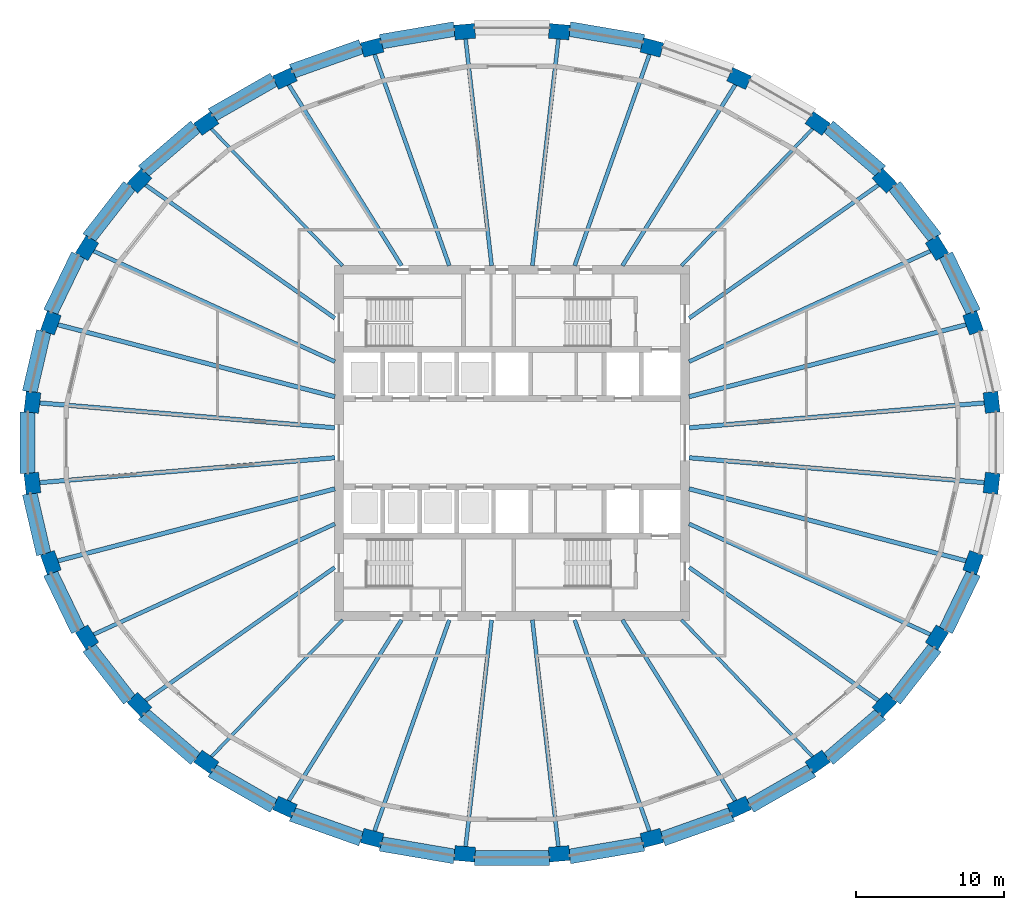
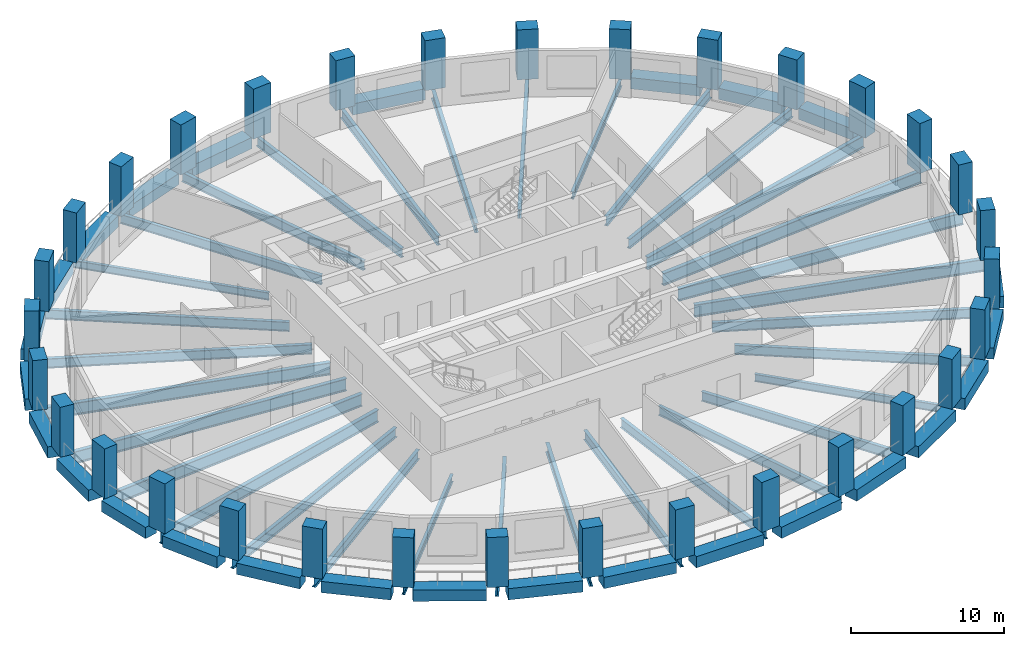
# One storey, part 1 of 10: 58 beams, 32 columns.
"""IFC4 building model written with IfcOpenShell, lengths in metres."""

from ifc_helpers import new_model, si_unit, direction, frame, origin, origin_2d, place, context, subcontext, project, spatial, rectangle, i_section, extrude, material, material_profile, profile_set, type_object, element, save


model = new_model("IFC4")

# Units and contexts
model_context = context("Model", 3, precision=1e-05, world=origin(), true_north=direction((0.0, 1.0)))
body_context = subcontext(model_context, "Body", "Model", "MODEL_VIEW")
ifc_project = project(units=[si_unit("LENGTHUNIT", "METRE"), si_unit("AREAUNIT", "SQUARE_METRE"), si_unit("VOLUMEUNIT", "CUBIC_METRE"), si_unit("PLANEANGLEUNIT", "RADIAN"), si_unit("MASSUNIT", "GRAM", prefix="KILO")], contexts=[model_context])

# Site, building, storey
site_placement = place(None, origin())
site = spatial("IfcSite", under=ifc_project, at=site_placement, CompositionType="ELEMENT")
building_placement = place(site_placement, origin())
building = spatial("IfcBuilding", under=site, at=building_placement, Name="Halqa Exchange Tower", CompositionType="ELEMENT")
storey_placement = place(building_placement, frame((0.0, 0.0, 186.89990234375)))
storey = spatial("IfcBuildingStorey", under=building, at=storey_placement, Name="L42", CompositionType="ELEMENT", Elevation=186.89990234375)

# Columns
ifc_material_1 = material(Name="Concrete C70/85", Category="concrete")
ifc_material_profile_1 = material_profile(ifc_material_1, rectangle(XDim=1.39990234375, YDim=1.0, at=origin_2d()), Name="1400 x 1000")
ifc_profile_set_1 = profile_set([ifc_material_profile_1], Name="Concrete C70/85")
column_type = type_object("IfcColumnType", Name="RC ring column 1400 x 1000 C70/85", PredefinedType="COLUMN", material=ifc_profile_set_1)
for number, where, z_axis, x_axis, name in (
    (1, (32.422119140625, 2.737060546875, 0.0), (0.0, 0.0, 1.0), (-0.114149986297, 0.993463527578, 0.0), "Ring column 1"),
    (2, (31.176025390625, 8.106201171875, 0.0), (0.0, 0.0, 1.0), (-0.333625878908, 0.942705560036, 0.0), "Ring column 2"),
    (3, (28.73193359375, 13.163818359375, 0.0), (0.0, 0.0, 1.0), (-0.529144939165, 0.848531456904, 0.0), "Ring column 3"),
    (4, (25.183837890625, 17.71533203125, 0.0), (0.0, 0.0, 1.0), (-0.691576091297, 0.722303613411, 0.0), "Ring column 4"),
    (5, (20.667724609375, 21.586181640625, 0.0), (0.0, 0.0, 1.0), (-0.817905775493, 0.575352189893, 0.0), "Ring column 5"),
    (6, (15.357666015625, 24.62744140625, 0.0), (0.0, 0.0, 1.0), (-0.909125641902, 0.416521988898, 0.0), "Ring column 6"),
    (7, (9.457275390625, 26.722412109375, 0.0), (0.0, 0.0, 1.0), (-0.96782082117, 0.251640334823, 0.0), "Ring column 7"),
    (8, (3.193359375, 27.790283203125, 0.0), (0.0, 0.0, 1.0), (-0.99645595943, 0.084116115675, 0.0), "Ring column 8"),
    (9, (-3.193359375, 27.790283203125, 0.0), (0.0, 0.0, 1.0), (-0.99645595943, -0.084116115675, 0.0), "Ring column 9"),
    (10, (-9.457275390625, 26.722412109375, 0.0), (0.0, 0.0, 1.0), (-0.96782082117, -0.251640334823, 0.0), "Ring column 10"),
    (11, (-15.357666015625, 24.62744140625, 0.0), (0.0, 0.0, 1.0), (-0.909125641902, -0.416521988898, 0.0), "Ring column 11"),
    (12, (-20.667724609375, 21.586181640625, 0.0), (0.0, 0.0, 1.0), (-0.817905775493, -0.575352189893, 0.0), "Ring column 12"),
    (13, (-25.183837890625, 17.71533203125, 0.0), (0.0, 0.0, 1.0), (-0.691576091297, -0.722303613411, 0.0), "Ring column 13"),
    (14, (-28.73193359375, 13.163818359375, 0.0), (0.0, 0.0, 1.0), (-0.529144939165, -0.848531456904, 0.0), "Ring column 14"),
    (15, (-31.176025390625, 8.106201171875, 0.0), (0.0, 0.0, 1.0), (-0.333625878908, -0.942705560036, 0.0), "Ring column 15"),
    (16, (-32.422119140625, 2.737060546875, 0.0), (0.0, 0.0, 1.0), (-0.114149986297, -0.993463527578, 0.0), "Ring column 16"),
    (17, (-32.422119140625, -2.737060546875, 0.0), (0.0, 0.0, 1.0), (0.114149986297, -0.993463527578, 0.0), "Ring column 17"),
    (18, (-31.176025390625, -8.106201171875, 0.0), (0.0, 0.0, 1.0), (0.333625878908, -0.942705560036, 0.0), "Ring column 18"),
    (19, (-28.73193359375, -13.163818359375, 0.0), (0.0, 0.0, 1.0), (0.529144939165, -0.848531456904, 0.0), "Ring column 19"),
    (20, (-25.183837890625, -17.71533203125, 0.0), (0.0, 0.0, 1.0), (0.691576091297, -0.722303613411, 0.0), "Ring column 20"),
    (21, (-20.667724609375, -21.586181640625, 0.0), (0.0, 0.0, 1.0), (0.817905775493, -0.575352189893, 0.0), "Ring column 21"),
    (22, (-15.357666015625, -24.62744140625, 0.0), (0.0, 0.0, 1.0), (0.909125641902, -0.416521988898, 0.0), "Ring column 22"),
    (23, (-9.457275390625, -26.722412109375, 0.0), (0.0, 0.0, 1.0), (0.96782082117, -0.251640334823, 0.0), "Ring column 23"),
    (24, (-3.193359375, -27.790283203125, 0.0), (0.0, 0.0, 1.0), (0.99645595943, -0.084116115675, 0.0), "Ring column 24"),
    (25, (3.193359375, -27.790283203125, 0.0), (0.0, 0.0, 1.0), (0.99645595943, 0.084116115675, 0.0), "Ring column 25"),
    (26, (9.457275390625, -26.722412109375, 0.0), (0.0, 0.0, 1.0), (0.96782082117, 0.251640334823, 0.0), "Ring column 26"),
    (27, (15.357666015625, -24.62744140625, 0.0), (0.0, 0.0, 1.0), (0.909125641902, 0.416521988898, 0.0), "Ring column 27"),
    (28, (20.667724609375, -21.586181640625, 0.0), (0.0, 0.0, 1.0), (0.817905775493, 0.575352189893, 0.0), "Ring column 28"),
    (29, (25.183837890625, -17.71533203125, 0.0), (0.0, 0.0, 1.0), (0.691576091297, 0.722303613411, 0.0), "Ring column 29"),
    (30, (28.73193359375, -13.163818359375, 0.0), (0.0, 0.0, 1.0), (0.529144939165, 0.848531456904, 0.0), "Ring column 30"),
    (31, (31.176025390625, -8.106201171875, 0.0), (0.0, 0.0, 1.0), (0.333625878908, 0.942705560036, 0.0), "Ring column 31"),
    (32, (32.422119140625, -2.737060546875, 0.0), (0.0, 0.0, 1.0), (0.114149986297, 0.993463527578, 0.0), "Ring column 32"),
):
    element("IfcColumn", number, at=place(storey_placement, frame(where, z_axis=z_axis, x_axis=x_axis)), inside=storey, type_object=column_type, Name=name, PredefinedType="COLUMN", context=body_context, shape_type="SweptSolid", body=[
        extrude(rectangle(XDim=1.39990234375, YDim=1.0, at=origin_2d()), origin(), (0.0, 0.0, 1.0), 4.0),
    ])

# Beams
ifc_material_2 = material(Name="Steel S355", Category="steel")
ifc_material_profile_2 = material_profile(ifc_material_2, i_section(OverallWidth=0.300048828125, OverallDepth=0.989990234375, WebThickness=0.0166015625, FlangeThickness=0.031005859375, FilletRadius=0.030029296875, at=origin_2d()), Name="HEA 1000")
ifc_profile_set_2 = profile_set([ifc_material_profile_2], Name="Steel S355")
beam_type_1 = type_object("IfcBeamType", Name="Floor beam HEA 1000", PredefinedType="BEAM", material=ifc_profile_set_2)
beam_1_placement = place(storey_placement, frame((11.972412109375, 1.0107421875, -0.794921875), z_axis=(0.996455573908, 0.084120682519, 0.0), x_axis=(-0.084120682519, 0.996455573908, 0.0)))
element("IfcBeam", 33, at=beam_1_placement, inside=storey, type_object=beam_type_1, Name="Radial beam 1", PredefinedType="BEAM", context=body_context, shape_type="SweptSolid", body=[
    extrude(i_section(OverallWidth=0.300048828125, OverallDepth=0.989990234375, WebThickness=0.0166015625, FlangeThickness=0.031005859375, FilletRadius=0.030029296875, at=origin_2d()), origin(), (0.0, 0.0, 1.0), 20.63232421875),
])
for number, where, z_axis, x_axis, name in (
    (34, (11.97119140625, 3.11279296875, -0.794921875), (0.967822327931, 0.251634539676, 0.0), (-0.251634539676, 0.967822327931, 0.0), "Radial beam 2"),
    (35, (-11.97119140625, 3.11279296875, -0.794921875), (-0.967822327931, 0.251634539676, 0.0), (-0.251634539676, -0.967822327931, 0.0), "Radial beam 15"),
):
    element("IfcBeam", number, at=place(storey_placement, frame(where, z_axis=z_axis, x_axis=x_axis)), inside=storey, type_object=beam_type_1, Name=name, PredefinedType="BEAM", context=body_context, shape_type="SweptSolid", body=[
        extrude(i_section(OverallWidth=0.300048828125, OverallDepth=0.989990234375, WebThickness=0.0166015625, FlangeThickness=0.031005859375, FilletRadius=0.030029296875, at=origin_2d()), origin(), (0.0, 0.0, 1.0), 19.94580078125),
    ])
for number, where, z_axis, x_axis, name in (
    (36, (-11.972412109375, 1.0107421875, -0.794921875), (-0.996455573908, 0.084120682519, 0.0), (-0.084120682519, -0.996455573908, 0.0), "Radial beam 16"),
    (37, (-11.972412109375, -1.0107421875, -0.794921875), (-0.996455573908, -0.084120682519, 0.0), (0.084120682519, -0.996455573908, 0.0), "Radial beam 17"),
):
    element("IfcBeam", number, at=place(storey_placement, frame(where, z_axis=z_axis, x_axis=x_axis)), inside=storey, type_object=beam_type_1, Name=name, PredefinedType="BEAM", context=body_context, shape_type="SweptSolid", body=[
        extrude(i_section(OverallWidth=0.300048828125, OverallDepth=0.989990234375, WebThickness=0.0166015625, FlangeThickness=0.031005859375, FilletRadius=0.030029296875, at=origin_2d()), origin(), (0.0, 0.0, 1.0), 20.63232421875),
    ])
for number, where, z_axis, x_axis, name in (
    (38, (-11.97119140625, -3.11279296875, -0.794921875), (-0.967822327931, -0.251634539676, 0.0), (0.251634539676, -0.967822327931, 0.0), "Radial beam 18"),
    (39, (11.97119140625, -3.11279296875, -0.794921875), (0.967822327931, -0.251634539676, 0.0), (0.251634539676, 0.967822327931, 0.0), "Radial beam 31"),
):
    element("IfcBeam", number, at=place(storey_placement, frame(where, z_axis=z_axis, x_axis=x_axis)), inside=storey, type_object=beam_type_1, Name=name, PredefinedType="BEAM", context=body_context, shape_type="SweptSolid", body=[
        extrude(i_section(OverallWidth=0.300048828125, OverallDepth=0.989990234375, WebThickness=0.0166015625, FlangeThickness=0.031005859375, FilletRadius=0.030029296875, at=origin_2d()), origin(), (0.0, 0.0, 1.0), 19.94580078125),
    ])
beam_2_placement = place(storey_placement, frame((11.972412109375, -1.0107421875, -0.794921875), z_axis=(0.996455573908, -0.084120682519, 0.0), x_axis=(0.084120682519, 0.996455573908, 0.0)))
element("IfcBeam", 40, at=beam_2_placement, inside=storey, type_object=beam_type_1, Name="Radial beam 32", PredefinedType="BEAM", context=body_context, shape_type="SweptSolid", body=[
    extrude(i_section(OverallWidth=0.300048828125, OverallDepth=0.989990234375, WebThickness=0.0166015625, FlangeThickness=0.031005859375, FilletRadius=0.030029296875, at=origin_2d()), origin(), (0.0, 0.0, 1.0), 20.63232421875),
])
ifc_material_profile_3 = material_profile(ifc_material_2, i_section(OverallWidth=0.219970703125, OverallDepth=0.60009765625, WebThickness=0.011962890625, FlangeThickness=0.01904296875, FilletRadius=0.02392578125, at=origin_2d()), Name="IPE 600")
ifc_profile_set_3 = profile_set([ifc_material_profile_3], Name="Steel S355")
beam_type_2 = type_object("IfcBeamType", Name="Floor beam IPE 600", PredefinedType="BEAM", material=ifc_profile_set_3)
for number, where, z_axis, x_axis, name in (
    (41, (11.463134765625, 11.972412109375, -0.599853515625), (0.691571093897, 0.722308398184, 0.0), (-0.722308398184, 0.691571093897, 0.0), "Radial beam 5"),
    (42, (-11.463134765625, 11.972412109375, -0.599853515625), (-0.691571093897, 0.722308398184, 0.0), (-0.722308398184, -0.691571093897, 0.0), "Radial beam 12"),
    (43, (-11.463134765625, -11.972412109375, -0.599853515625), (-0.691571093897, -0.722308398184, 0.0), (0.722308398184, -0.691571093897, 0.0), "Radial beam 21"),
    (44, (11.463134765625, -11.972412109375, -0.599853515625), (0.691571093897, -0.722308398184, 0.0), (0.722308398184, 0.691571093897, 0.0), "Radial beam 28"),
):
    element("IfcBeam", number, at=place(storey_placement, frame(where, z_axis=z_axis, x_axis=x_axis)), inside=storey, type_object=beam_type_2, Name=name, PredefinedType="BEAM", context=body_context, shape_type="SweptSolid", body=[
        extrude(i_section(OverallWidth=0.219970703125, OverallDepth=0.60009765625, WebThickness=0.011962890625, FlangeThickness=0.01904296875, FilletRadius=0.02392578125, at=origin_2d()), origin(), (0.0, 0.0, 1.0), 13.375732421875),
    ])
ifc_material_profile_4 = material_profile(ifc_material_2, i_section(OverallWidth=0.264892578125, OverallDepth=0.7529296875, WebThickness=0.01318359375, FlangeThickness=0.01708984375, FilletRadius=0.01708984375, at=origin_2d()), Name="IPE 750x147")
ifc_profile_set_4 = profile_set([ifc_material_profile_4], Name="Steel S355")
beam_type_3 = type_object("IfcBeamType", Name="Floor beam IPE 750x147", PredefinedType="BEAM", material=ifc_profile_set_4)
beam_3_placement = place(storey_placement, frame((11.97216796875, 8.421630859375, -0.676513671875), z_axis=(0.81790629386, 0.575351452995, 0.0), x_axis=(-0.575351452995, 0.81790629386, 0.0)))
element("IfcBeam", 45, at=beam_3_placement, inside=storey, type_object=beam_type_3, Name="Radial beam 4", PredefinedType="BEAM", context=body_context, shape_type="SweptSolid", body=[
    extrude(i_section(OverallWidth=0.264892578125, OverallDepth=0.7529296875, WebThickness=0.01318359375, FlangeThickness=0.01708984375, FilletRadius=0.01708984375, at=origin_2d()), origin(), (0.0, 0.0, 1.0), 16.232421875),
])
beam_4_placement = place(storey_placement, frame((7.466064453125, 11.972412109375, -0.676513671875), z_axis=(0.529132105538, 0.84853945983, 0.0), x_axis=(-0.84853945983, 0.529132105538, 0.0)))
element("IfcBeam", 46, at=beam_4_placement, inside=storey, type_object=beam_type_3, Name="Radial beam 6", PredefinedType="BEAM", context=body_context, shape_type="SweptSolid", body=[
    extrude(i_section(OverallWidth=0.264892578125, OverallDepth=0.7529296875, WebThickness=0.01318359375, FlangeThickness=0.01708984375, FilletRadius=0.01708984375, at=origin_2d()), origin(), (0.0, 0.0, 1.0), 14.966796875),
])
beam_5_placement = place(storey_placement, frame((4.23681640625, 11.9716796875, -0.676513671875), z_axis=(0.333629700929, 0.942704207404, 0.0), x_axis=(-0.942704207404, 0.333629700929, 0.0)))
element("IfcBeam", 47, at=beam_5_placement, inside=storey, type_object=beam_type_3, Name="Radial beam 7", PredefinedType="BEAM", context=body_context, shape_type="SweptSolid", body=[
    extrude(i_section(OverallWidth=0.264892578125, OverallDepth=0.7529296875, WebThickness=0.01318359375, FlangeThickness=0.01708984375, FilletRadius=0.01708984375, at=origin_2d()), origin(), (0.0, 0.0, 1.0), 15.69287109375),
])
for number, where, z_axis, x_axis, name in (
    (48, (1.375732421875, 11.972900390625, -0.676513671875), (0.114152671345, 0.99346321906, 0.0), (-0.99346321906, 0.114152671345, 0.0), "Radial beam 8"),
    (49, (-1.375732421875, 11.972900390625, -0.676513671875), (-0.114152671345, 0.99346321906, 0.0), (-0.99346321906, -0.114152671345, 0.0), "Radial beam 9"),
):
    element("IfcBeam", number, at=place(storey_placement, frame(where, z_axis=z_axis, x_axis=x_axis)), inside=storey, type_object=beam_type_3, Name=name, PredefinedType="BEAM", context=body_context, shape_type="SweptSolid", body=[
        extrude(i_section(OverallWidth=0.264892578125, OverallDepth=0.7529296875, WebThickness=0.01318359375, FlangeThickness=0.01708984375, FilletRadius=0.01708984375, at=origin_2d()), origin(), (0.0, 0.0, 1.0), 15.961181640625),
    ])
beam_6_placement = place(storey_placement, frame((-4.23681640625, 11.9716796875, -0.676513671875), z_axis=(-0.333629700929, 0.942704207404, 0.0), x_axis=(-0.942704207404, -0.333629700929, 0.0)))
element("IfcBeam", 50, at=beam_6_placement, inside=storey, type_object=beam_type_3, Name="Radial beam 10", PredefinedType="BEAM", context=body_context, shape_type="SweptSolid", body=[
    extrude(i_section(OverallWidth=0.264892578125, OverallDepth=0.7529296875, WebThickness=0.01318359375, FlangeThickness=0.01708984375, FilletRadius=0.01708984375, at=origin_2d()), origin(), (0.0, 0.0, 1.0), 15.69287109375),
])
beam_7_placement = place(storey_placement, frame((-7.466064453125, 11.972412109375, -0.676513671875), z_axis=(-0.529132105538, 0.84853945983, 0.0), x_axis=(-0.84853945983, -0.529132105538, 0.0)))
element("IfcBeam", 51, at=beam_7_placement, inside=storey, type_object=beam_type_3, Name="Radial beam 11", PredefinedType="BEAM", context=body_context, shape_type="SweptSolid", body=[
    extrude(i_section(OverallWidth=0.264892578125, OverallDepth=0.7529296875, WebThickness=0.01318359375, FlangeThickness=0.01708984375, FilletRadius=0.01708984375, at=origin_2d()), origin(), (0.0, 0.0, 1.0), 14.966796875),
])
for number, where, z_axis, x_axis, name in (
    (52, (-11.97216796875, 8.421630859375, -0.676513671875), (-0.81790629386, 0.575351452995, 0.0), (-0.575351452995, -0.81790629386, 0.0), "Radial beam 13"),
    (53, (-11.97216796875, -8.421630859375, -0.676513671875), (-0.81790629386, -0.575351452995, 0.0), (0.575351452995, -0.81790629386, 0.0), "Radial beam 20"),
):
    element("IfcBeam", number, at=place(storey_placement, frame(where, z_axis=z_axis, x_axis=x_axis)), inside=storey, type_object=beam_type_3, Name=name, PredefinedType="BEAM", context=body_context, shape_type="SweptSolid", body=[
        extrude(i_section(OverallWidth=0.264892578125, OverallDepth=0.7529296875, WebThickness=0.01318359375, FlangeThickness=0.01708984375, FilletRadius=0.01708984375, at=origin_2d()), origin(), (0.0, 0.0, 1.0), 16.232421875),
    ])
beam_8_placement = place(storey_placement, frame((-7.466064453125, -11.972412109375, -0.676513671875), z_axis=(-0.529132105538, -0.84853945983, 0.0), x_axis=(0.84853945983, -0.529132105538, 0.0)))
element("IfcBeam", 54, at=beam_8_placement, inside=storey, type_object=beam_type_3, Name="Radial beam 22", PredefinedType="BEAM", context=body_context, shape_type="SweptSolid", body=[
    extrude(i_section(OverallWidth=0.264892578125, OverallDepth=0.7529296875, WebThickness=0.01318359375, FlangeThickness=0.01708984375, FilletRadius=0.01708984375, at=origin_2d()), origin(), (0.0, 0.0, 1.0), 14.966796875),
])
beam_9_placement = place(storey_placement, frame((-4.23681640625, -11.9716796875, -0.676513671875), z_axis=(-0.333629700929, -0.942704207404, 0.0), x_axis=(0.942704207404, -0.333629700929, 0.0)))
element("IfcBeam", 55, at=beam_9_placement, inside=storey, type_object=beam_type_3, Name="Radial beam 23", PredefinedType="BEAM", context=body_context, shape_type="SweptSolid", body=[
    extrude(i_section(OverallWidth=0.264892578125, OverallDepth=0.7529296875, WebThickness=0.01318359375, FlangeThickness=0.01708984375, FilletRadius=0.01708984375, at=origin_2d()), origin(), (0.0, 0.0, 1.0), 15.69287109375),
])
for number, where, z_axis, x_axis, name in (
    (56, (-1.375732421875, -11.972900390625, -0.676513671875), (-0.114152671345, -0.99346321906, 0.0), (0.99346321906, -0.114152671345, 0.0), "Radial beam 24"),
    (57, (1.375732421875, -11.972900390625, -0.676513671875), (0.114152671345, -0.99346321906, 0.0), (0.99346321906, 0.114152671345, 0.0), "Radial beam 25"),
):
    element("IfcBeam", number, at=place(storey_placement, frame(where, z_axis=z_axis, x_axis=x_axis)), inside=storey, type_object=beam_type_3, Name=name, PredefinedType="BEAM", context=body_context, shape_type="SweptSolid", body=[
        extrude(i_section(OverallWidth=0.264892578125, OverallDepth=0.7529296875, WebThickness=0.01318359375, FlangeThickness=0.01708984375, FilletRadius=0.01708984375, at=origin_2d()), origin(), (0.0, 0.0, 1.0), 15.961181640625),
    ])
beam_10_placement = place(storey_placement, frame((4.23681640625, -11.9716796875, -0.676513671875), z_axis=(0.333629700929, -0.942704207404, 0.0), x_axis=(0.942704207404, 0.333629700929, 0.0)))
element("IfcBeam", 58, at=beam_10_placement, inside=storey, type_object=beam_type_3, Name="Radial beam 26", PredefinedType="BEAM", context=body_context, shape_type="SweptSolid", body=[
    extrude(i_section(OverallWidth=0.264892578125, OverallDepth=0.7529296875, WebThickness=0.01318359375, FlangeThickness=0.01708984375, FilletRadius=0.01708984375, at=origin_2d()), origin(), (0.0, 0.0, 1.0), 15.69287109375),
])
beam_11_placement = place(storey_placement, frame((7.466064453125, -11.972412109375, -0.676513671875), z_axis=(0.529132105538, -0.84853945983, 0.0), x_axis=(0.84853945983, 0.529132105538, 0.0)))
element("IfcBeam", 59, at=beam_11_placement, inside=storey, type_object=beam_type_3, Name="Radial beam 27", PredefinedType="BEAM", context=body_context, shape_type="SweptSolid", body=[
    extrude(i_section(OverallWidth=0.264892578125, OverallDepth=0.7529296875, WebThickness=0.01318359375, FlangeThickness=0.01708984375, FilletRadius=0.01708984375, at=origin_2d()), origin(), (0.0, 0.0, 1.0), 14.966796875),
])
beam_12_placement = place(storey_placement, frame((11.97216796875, -8.421630859375, -0.676513671875), z_axis=(0.81790629386, -0.575351452995, 0.0), x_axis=(0.575351452995, 0.81790629386, 0.0)))
element("IfcBeam", 60, at=beam_12_placement, inside=storey, type_object=beam_type_3, Name="Radial beam 29", PredefinedType="BEAM", context=body_context, shape_type="SweptSolid", body=[
    extrude(i_section(OverallWidth=0.264892578125, OverallDepth=0.7529296875, WebThickness=0.01318359375, FlangeThickness=0.01708984375, FilletRadius=0.01708984375, at=origin_2d()), origin(), (0.0, 0.0, 1.0), 16.232421875),
])
ifc_material_profile_5 = material_profile(ifc_material_2, i_section(OverallWidth=0.26806640625, OverallDepth=0.77001953125, WebThickness=0.015625, FlangeThickness=0.025390625, FilletRadius=0.01708984375, at=origin_2d()), Name="IPE 750x196")
ifc_profile_set_5 = profile_set([ifc_material_profile_5], Name="Steel S355")
beam_type_4 = type_object("IfcBeamType", Name="Floor beam IPE 750x196", PredefinedType="BEAM", material=ifc_profile_set_5)
for number, where, z_axis, x_axis, name in (
    (61, (11.97119140625, 5.484619140625, -0.684814453125), (0.909128238354, 0.416516321681, 0.0), (-0.416516321681, 0.909128238354, 0.0), "Radial beam 3"),
    (62, (-11.97119140625, 5.484619140625, -0.684814453125), (-0.909128238354, 0.416516321681, 0.0), (-0.416516321681, -0.909128238354, 0.0), "Radial beam 14"),
    (63, (-11.97119140625, -5.484619140625, -0.684814453125), (-0.909128238354, -0.416516321681, 0.0), (0.416516321681, -0.909128238354, 0.0), "Radial beam 19"),
    (64, (11.97119140625, -5.484619140625, -0.684814453125), (0.909128238354, -0.416516321681, 0.0), (0.416516321681, 0.909128238354, 0.0), "Radial beam 30"),
):
    element("IfcBeam", number, at=place(storey_placement, frame(where, z_axis=z_axis, x_axis=x_axis)), inside=storey, type_object=beam_type_4, Name=name, PredefinedType="BEAM", context=body_context, shape_type="SweptSolid", body=[
        extrude(i_section(OverallWidth=0.26806640625, OverallDepth=0.77001953125, WebThickness=0.015625, FlangeThickness=0.025390625, FilletRadius=0.01708984375, at=origin_2d()), origin(), (0.0, 0.0, 1.0), 18.528076171875),
    ])
ifc_material_3 = material(Name="Concrete C60/75", Category="concrete")
ifc_material_profile_6 = material_profile(ifc_material_3, rectangle(XDim=1.0, YDim=0.89990234375, at=origin_2d()), Name="1000 x 900")
ifc_profile_set_6 = profile_set([ifc_material_profile_6], Name="Concrete C60/75")
beam_type_5 = type_object("IfcBeamType", Name="RC spandrel beam 1000 x 900 C60/75", PredefinedType="SPANDREL", material=ifc_profile_set_6)
beam_13_placement = place(storey_placement, frame((31.209228515625, 8.800048828125, -0.449951171875), z_axis=(-0.435115273313, 0.900374754716, 0.0), x_axis=(-0.900374754716, -0.435115273313, 0.0)))
element("IfcBeam", 65, at=beam_13_placement, inside=storey, type_object=beam_type_5, Name="Spandrel 2", PredefinedType="SPANDREL", context=body_context, shape_type="SweptSolid", body=[
    extrude(rectangle(XDim=1.0, YDim=0.89990234375, at=origin_2d()), origin(), (0.0, 0.0, 1.0), 4.324951171875),
])
beam_14_placement = place(storey_placement, frame((28.618408203125, 13.8349609375, -0.449951171875), z_axis=(-0.61479263839, 0.788688792732, 0.0), x_axis=(-0.788688792732, -0.61479263839, 0.0)))
element("IfcBeam", 66, at=beam_14_placement, inside=storey, type_object=beam_type_5, Name="Spandrel 3", PredefinedType="SPANDREL", context=body_context, shape_type="SweptSolid", body=[
    extrude(rectangle(XDim=1.0, YDim=0.89990234375, at=origin_2d()), origin(), (0.0, 0.0, 1.0), 4.4814453125),
])
beam_15_placement = place(storey_placement, frame((24.935546875, 18.3408203125, -0.449951171875), z_axis=(-0.759238115243, 0.650812941145, 0.0), x_axis=(-0.650812941145, -0.759238115243, 0.0)))
element("IfcBeam", 67, at=beam_15_placement, inside=storey, type_object=beam_type_5, Name="Spandrel 4", PredefinedType="SPANDREL", context=body_context, shape_type="SweptSolid", body=[
    extrude(rectangle(XDim=1.0, YDim=0.89990234375, at=origin_2d()), origin(), (0.0, 0.0, 1.0), 4.6611328125),
])
for number, where, z_axis, x_axis, name in (
    (68, (8.892333984375, 27.1162109375, -0.449951171875), (-0.985771657048, 0.168089976386, 0.0), (-0.168089976386, -0.985771657048, 0.0), "Spandrel 7"),
    (69, (-3.892578125, 27.96875, -0.449951171875), (-0.985771657048, -0.168089976386, 0.0), (0.168089976386, -0.985771657048, 0.0), "Spandrel 9"),
):
    element("IfcBeam", number, at=place(storey_placement, frame(where, z_axis=z_axis, x_axis=x_axis)), inside=storey, type_object=beam_type_5, Name=name, PredefinedType="SPANDREL", context=body_context, shape_type="SweptSolid", body=[
        extrude(rectangle(XDim=1.0, YDim=0.89990234375, at=origin_2d()), origin(), (0.0, 0.0, 1.0), 5.072021484375),
    ])
beam_16_placement = place(storey_placement, frame((-10.19189453125, 26.77734375, -0.449951171875), z_axis=(-0.942363905459, -0.3345897035, 0.0), x_axis=(0.3345897035, -0.942363905459, 0.0)))
element("IfcBeam", 70, at=beam_16_placement, inside=storey, type_object=beam_type_5, Name="Spandrel 10", PredefinedType="SPANDREL", context=body_context, shape_type="SweptSolid", body=[
    extrude(rectangle(XDim=1.0, YDim=0.89990234375, at=origin_2d()), origin(), (0.0, 0.0, 1.0), 4.977783203125),
])
beam_17_placement = place(storey_placement, frame((-16.103759765625, 24.55126953125, -0.449951171875), z_axis=(-0.867742419962, -0.497014177462, 0.0), x_axis=(0.497014177462, -0.867742419962, 0.0)))
element("IfcBeam", 71, at=beam_17_placement, inside=storey, type_object=beam_type_5, Name="Spandrel 11", PredefinedType="SPANDREL", context=body_context, shape_type="SweptSolid", body=[
    extrude(rectangle(XDim=1.0, YDim=0.89990234375, at=origin_2d()), origin(), (0.0, 0.0, 1.0), 4.8349609375),
])
beam_18_placement = place(storey_placement, frame((-21.396728515625, 21.374267578125, -0.449951171875), z_axis=(-0.759238115243, -0.650812941145, 0.0), x_axis=(0.650812941145, -0.759238115243, 0.0)))
element("IfcBeam", 72, at=beam_18_placement, inside=storey, type_object=beam_type_5, Name="Spandrel 12", PredefinedType="SPANDREL", context=body_context, shape_type="SweptSolid", body=[
    extrude(rectangle(XDim=1.0, YDim=0.89990234375, at=origin_2d()), origin(), (0.0, 0.0, 1.0), 4.6611328125),
])
beam_19_placement = place(storey_placement, frame((-25.86328125, 17.369384765625, -0.449951171875), z_axis=(-0.61479263839, -0.788688792732, 0.0), x_axis=(0.788688792732, -0.61479263839, 0.0)))
element("IfcBeam", 73, at=beam_19_placement, inside=storey, type_object=beam_type_5, Name="Spandrel 13", PredefinedType="SPANDREL", context=body_context, shape_type="SweptSolid", body=[
    extrude(rectangle(XDim=1.0, YDim=0.89990234375, at=origin_2d()), origin(), (0.0, 0.0, 1.0), 4.4814453125),
])
beam_20_placement = place(storey_placement, frame((-29.327392578125, 12.694091796875, -0.449951171875), z_axis=(-0.435115273313, -0.900374754716, 0.0), x_axis=(0.900374754716, -0.435115273313, 0.0)))
element("IfcBeam", 74, at=beam_20_placement, inside=storey, type_object=beam_type_5, Name="Spandrel 14", PredefinedType="SPANDREL", context=body_context, shape_type="SweptSolid", body=[
    extrude(rectangle(XDim=1.0, YDim=0.89990234375, at=origin_2d()), origin(), (0.0, 0.0, 1.0), 4.324951171875),
])
beam_21_placement = place(storey_placement, frame((-31.656494140625, 7.53173828125, -0.449951171875), z_axis=(-0.226085562034, -0.974107447174, 0.0), x_axis=(0.974107447174, -0.226085562034, 0.0)))
element("IfcBeam", 75, at=beam_21_placement, inside=storey, type_object=beam_type_5, Name="Spandrel 15", PredefinedType="SPANDREL", context=body_context, shape_type="SweptSolid", body=[
    extrude(rectangle(XDim=1.0, YDim=0.89990234375, at=origin_2d()), origin(), (0.0, 0.0, 1.0), 4.216796875),
])
beam_22_placement = place(storey_placement, frame((-32.7626953125, 2.08984375, -0.449951171875), z_axis=(0.0, -1.0, 0.0), x_axis=(1.0, 0.0, 0.0)))
element("IfcBeam", 76, at=beam_22_placement, inside=storey, type_object=beam_type_5, Name="Spandrel 16", PredefinedType="SPANDREL", context=body_context, shape_type="SweptSolid", body=[
    extrude(rectangle(XDim=1.0, YDim=0.89990234375, at=origin_2d()), origin(), (0.0, 0.0, 1.0), 4.1796875),
])
beam_23_placement = place(storey_placement, frame((-32.60986328125, -3.424072265625, -0.449951171875), z_axis=(0.226085562034, -0.974107447174, 0.0), x_axis=(0.974107447174, 0.226085562034, 0.0)))
element("IfcBeam", 77, at=beam_23_placement, inside=storey, type_object=beam_type_5, Name="Spandrel 17", PredefinedType="SPANDREL", context=body_context, shape_type="SweptSolid", body=[
    extrude(rectangle(XDim=1.0, YDim=0.89990234375, at=origin_2d()), origin(), (0.0, 0.0, 1.0), 4.216796875),
])
beam_24_placement = place(storey_placement, frame((-31.209228515625, -8.800048828125, -0.449951171875), z_axis=(0.435115273313, -0.900374754716, 0.0), x_axis=(0.900374754716, 0.435115273313, 0.0)))
element("IfcBeam", 78, at=beam_24_placement, inside=storey, type_object=beam_type_5, Name="Spandrel 18", PredefinedType="SPANDREL", context=body_context, shape_type="SweptSolid", body=[
    extrude(rectangle(XDim=1.0, YDim=0.89990234375, at=origin_2d()), origin(), (0.0, 0.0, 1.0), 4.324951171875),
])
beam_25_placement = place(storey_placement, frame((-28.618408203125, -13.8349609375, -0.449951171875), z_axis=(0.61479263839, -0.788688792732, 0.0), x_axis=(0.788688792732, 0.61479263839, 0.0)))
element("IfcBeam", 79, at=beam_25_placement, inside=storey, type_object=beam_type_5, Name="Spandrel 19", PredefinedType="SPANDREL", context=body_context, shape_type="SweptSolid", body=[
    extrude(rectangle(XDim=1.0, YDim=0.89990234375, at=origin_2d()), origin(), (0.0, 0.0, 1.0), 4.4814453125),
])
beam_26_placement = place(storey_placement, frame((-24.935546875, -18.3408203125, -0.449951171875), z_axis=(0.759238115243, -0.650812941145, 0.0), x_axis=(0.650812941145, 0.759238115243, 0.0)))
element("IfcBeam", 80, at=beam_26_placement, inside=storey, type_object=beam_type_5, Name="Spandrel 20", PredefinedType="SPANDREL", context=body_context, shape_type="SweptSolid", body=[
    extrude(rectangle(XDim=1.0, YDim=0.89990234375, at=origin_2d()), origin(), (0.0, 0.0, 1.0), 4.6611328125),
])
beam_27_placement = place(storey_placement, frame((-20.29931640625, -22.148193359375, -0.449951171875), z_axis=(0.867742419962, -0.497014177462, 0.0), x_axis=(0.497014177462, 0.867742419962, 0.0)))
element("IfcBeam", 81, at=beam_27_placement, inside=storey, type_object=beam_type_5, Name="Spandrel 21", PredefinedType="SPANDREL", context=body_context, shape_type="SweptSolid", body=[
    extrude(rectangle(XDim=1.0, YDim=0.89990234375, at=origin_2d()), origin(), (0.0, 0.0, 1.0), 4.8349609375),
])
beam_28_placement = place(storey_placement, frame((-14.8828125, -25.11181640625, -0.449951171875), z_axis=(0.942363905459, -0.3345897035, 0.0), x_axis=(0.3345897035, 0.942363905459, 0.0)))
element("IfcBeam", 82, at=beam_28_placement, inside=storey, type_object=beam_type_5, Name="Spandrel 22", PredefinedType="SPANDREL", context=body_context, shape_type="SweptSolid", body=[
    extrude(rectangle(XDim=1.0, YDim=0.89990234375, at=origin_2d()), origin(), (0.0, 0.0, 1.0), 4.977783203125),
])
beam_29_placement = place(storey_placement, frame((-8.892333984375, -27.1162109375, -0.449951171875), z_axis=(0.985771657048, -0.168089976386, 0.0), x_axis=(0.168089976386, 0.985771657048, 0.0)))
element("IfcBeam", 83, at=beam_29_placement, inside=storey, type_object=beam_type_5, Name="Spandrel 23", PredefinedType="SPANDREL", context=body_context, shape_type="SweptSolid", body=[
    extrude(rectangle(XDim=1.0, YDim=0.89990234375, at=origin_2d()), origin(), (0.0, 0.0, 1.0), 5.072021484375),
])
beam_30_placement = place(storey_placement, frame((-2.551513671875, -28.082275390625, -0.449951171875), z_axis=(1.0, 0.0, 0.0), x_axis=(0.0, 1.0, 0.0)))
element("IfcBeam", 84, at=beam_30_placement, inside=storey, type_object=beam_type_5, Name="Spandrel 24", PredefinedType="SPANDREL", context=body_context, shape_type="SweptSolid", body=[
    extrude(rectangle(XDim=1.0, YDim=0.89990234375, at=origin_2d()), origin(), (0.0, 0.0, 1.0), 5.10302734375),
])
beam_31_placement = place(storey_placement, frame((3.892578125, -27.96875, -0.449951171875), z_axis=(0.985771657048, 0.168089976386, 0.0), x_axis=(-0.168089976386, 0.985771657048, 0.0)))
element("IfcBeam", 85, at=beam_31_placement, inside=storey, type_object=beam_type_5, Name="Spandrel 25", PredefinedType="SPANDREL", context=body_context, shape_type="SweptSolid", body=[
    extrude(rectangle(XDim=1.0, YDim=0.89990234375, at=origin_2d()), origin(), (0.0, 0.0, 1.0), 5.072021484375),
])
beam_32_placement = place(storey_placement, frame((10.19189453125, -26.77734375, -0.449951171875), z_axis=(0.942363905459, 0.3345897035, 0.0), x_axis=(-0.3345897035, 0.942363905459, 0.0)))
element("IfcBeam", 86, at=beam_32_placement, inside=storey, type_object=beam_type_5, Name="Spandrel 26", PredefinedType="SPANDREL", context=body_context, shape_type="SweptSolid", body=[
    extrude(rectangle(XDim=1.0, YDim=0.89990234375, at=origin_2d()), origin(), (0.0, 0.0, 1.0), 4.977783203125),
])
beam_33_placement = place(storey_placement, frame((16.103759765625, -24.55126953125, -0.449951171875), z_axis=(0.867742419962, 0.497014177462, 0.0), x_axis=(-0.497014177462, 0.867742419962, 0.0)))
element("IfcBeam", 87, at=beam_33_placement, inside=storey, type_object=beam_type_5, Name="Spandrel 27", PredefinedType="SPANDREL", context=body_context, shape_type="SweptSolid", body=[
    extrude(rectangle(XDim=1.0, YDim=0.89990234375, at=origin_2d()), origin(), (0.0, 0.0, 1.0), 4.8349609375),
])
beam_34_placement = place(storey_placement, frame((21.396728515625, -21.374267578125, -0.449951171875), z_axis=(0.759238115243, 0.650812941145, 0.0), x_axis=(-0.650812941145, 0.759238115243, 0.0)))
element("IfcBeam", 88, at=beam_34_placement, inside=storey, type_object=beam_type_5, Name="Spandrel 28", PredefinedType="SPANDREL", context=body_context, shape_type="SweptSolid", body=[
    extrude(rectangle(XDim=1.0, YDim=0.89990234375, at=origin_2d()), origin(), (0.0, 0.0, 1.0), 4.6611328125),
])
beam_35_placement = place(storey_placement, frame((25.86328125, -17.369384765625, -0.449951171875), z_axis=(0.61479263839, 0.788688792732, 0.0), x_axis=(-0.788688792732, 0.61479263839, 0.0)))
element("IfcBeam", 89, at=beam_35_placement, inside=storey, type_object=beam_type_5, Name="Spandrel 29", PredefinedType="SPANDREL", context=body_context, shape_type="SweptSolid", body=[
    extrude(rectangle(XDim=1.0, YDim=0.89990234375, at=origin_2d()), origin(), (0.0, 0.0, 1.0), 4.4814453125),
])
beam_36_placement = place(storey_placement, frame((29.327392578125, -12.694091796875, -0.449951171875), z_axis=(0.435115273313, 0.900374754716, 0.0), x_axis=(-0.900374754716, 0.435115273313, 0.0)))
element("IfcBeam", 90, at=beam_36_placement, inside=storey, type_object=beam_type_5, Name="Spandrel 30", PredefinedType="SPANDREL", context=body_context, shape_type="SweptSolid", body=[
    extrude(rectangle(XDim=1.0, YDim=0.89990234375, at=origin_2d()), origin(), (0.0, 0.0, 1.0), 4.324951171875),
])

save(model, "model.ifc")
